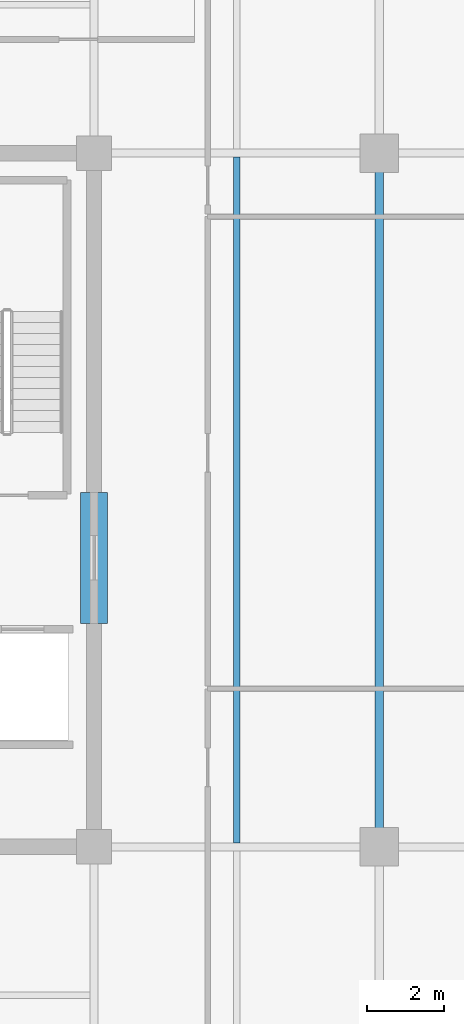
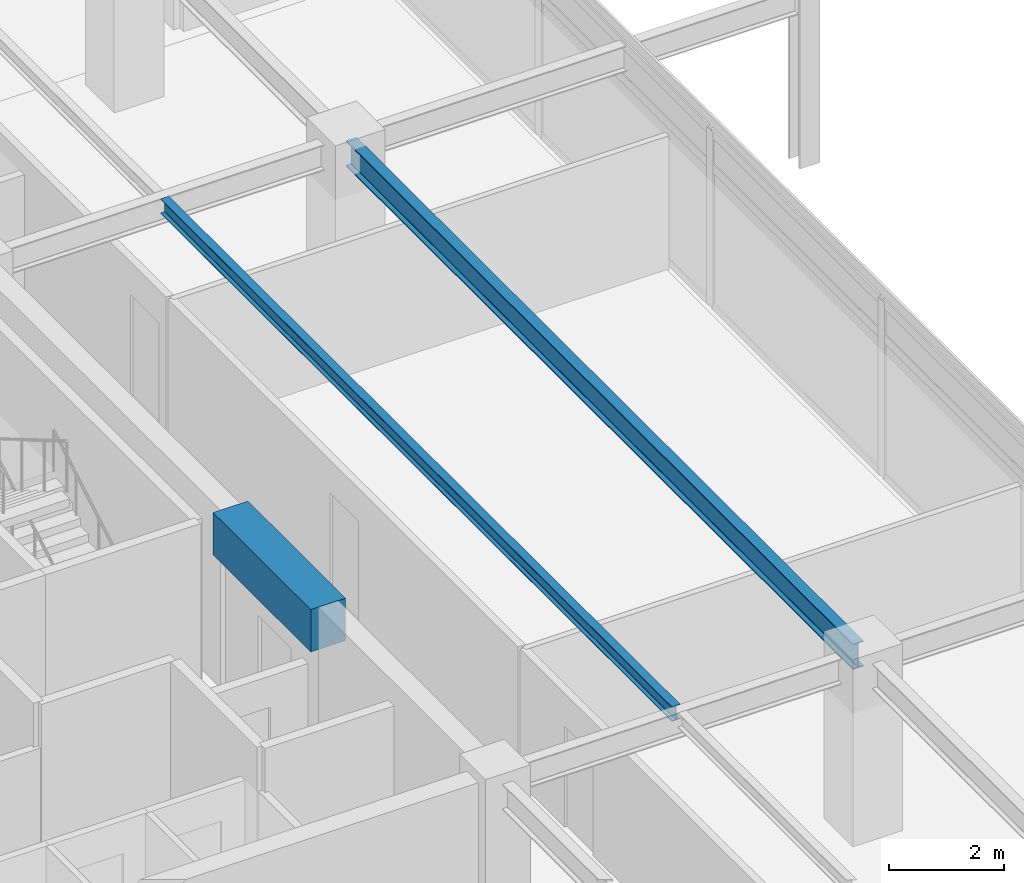
# One storey, part 3 of 20: 3 beams.
"""IFC4 building model written with IfcOpenShell, lengths in metres."""

from ifc_helpers import new_model, si_unit, direction, frame, origin, origin_2d, place, context, subcontext, project, spatial, rectangle, i_section, extrude, material, material_profile, profile_set, type_object, element, save


model = new_model("IFC4")

# Units and contexts
model_context = context("Model", 3, precision=1e-05, world=origin(), true_north=direction((0.0, 1.0)))
body_context = subcontext(model_context, "Body", "Model", "MODEL_VIEW")
ifc_project = project(units=[si_unit("LENGTHUNIT", "METRE"), si_unit("AREAUNIT", "SQUARE_METRE"), si_unit("VOLUMEUNIT", "CUBIC_METRE"), si_unit("PLANEANGLEUNIT", "RADIAN"), si_unit("MASSUNIT", "GRAM", prefix="KILO")], contexts=[model_context])

# Site, building, storey
site_placement = place(None, origin())
site = spatial("IfcSite", under=ifc_project, at=site_placement, CompositionType="ELEMENT")
building_placement = place(site_placement, origin())
building = spatial("IfcBuilding", under=site, at=building_placement, Name="Kovane Verandah Tower", CompositionType="ELEMENT")
storey_placement = place(building_placement, frame((0.0, 0.0, 306.800048828125)))
storey = spatial("IfcBuildingStorey", under=building, at=storey_placement, Name="L71", CompositionType="ELEMENT", Elevation=306.800048828125)

# Beams
ifc_material_1 = material(Name="Concrete C60/75", Category="concrete")
ifc_material_profile_1 = material_profile(ifc_material_1, rectangle(XDim=0.699951171875, YDim=0.89990234375, at=origin_2d()), Name="RCB700x900")
ifc_profile_set_1 = profile_set([ifc_material_profile_1], Name="Concrete C60/75")
beam_type_1 = type_object("IfcBeamType", Name="BM-LINTEL-700x900", PredefinedType="LINTEL", material=ifc_profile_set_1)
beam_1_placement = place(storey_placement, frame((51.0, 24.300048828125, 3.3349609375), z_axis=(0.0, 1.0, 0.0), x_axis=(-1.0, 0.0, 0.0)))
element("IfcBeam", 1, at=beam_1_placement, inside=storey, type_object=beam_type_1, Name="L71 Core Coupling Lintel CL-E", PredefinedType="LINTEL", context=body_context, shape_type="SweptSolid", body=[
    extrude(rectangle(XDim=0.699951171875, YDim=0.89990234375, at=origin_2d()), origin(), (0.0, 0.0, 1.0), 3.39990234375),
])
ifc_material_2 = material(Name="Steel S355", Category="steel")
ifc_material_profile_2 = material_profile(ifc_material_2, i_section(OverallWidth=0.2119140625, OverallDepth=0.54443359375, WebThickness=0.0126953125, FlangeThickness=0.021240234375, FilletRadius=0.0126953125, at=origin_2d()), Name="UB533x210x122")
ifc_profile_set_2 = profile_set([ifc_material_profile_2], Name="Steel S355")
beam_type_2 = type_object("IfcBeamType", Name="BM-UB533x122", PredefinedType="BEAM", material=ifc_profile_set_2)
beam_2_placement = place(storey_placement, frame((58.39990234375, 18.679931640625, 3.5126953125), z_axis=(0.0, 1.0, 0.0), x_axis=(-1.0, 0.0, 0.0)))
element("IfcBeam", 2, at=beam_2_placement, inside=storey, type_object=beam_type_2, Name="L71 Primary Tower Girder G-RE2", PredefinedType="BEAM", context=body_context, shape_type="SweptSolid", body=[
    extrude(i_section(OverallWidth=0.2119140625, OverallDepth=0.54443359375, WebThickness=0.0126953125, FlangeThickness=0.021240234375, FilletRadius=0.0126953125, at=origin_2d()), origin(), (0.0, 0.0, 1.0), 17.64013671875),
])
ifc_material_profile_3 = material_profile(ifc_material_2, i_section(OverallWidth=0.1669921875, OverallDepth=0.310302734375, WebThickness=0.0078125, FlangeThickness=0.013671875, FilletRadius=0.0087890625, at=origin_2d()), Name="UB305x165x54")
ifc_profile_set_3 = profile_set([ifc_material_profile_3], Name="Steel S355")
beam_type_3 = type_object("IfcBeamType", Name="JST-UB305x54", PredefinedType="JOIST", material=ifc_profile_set_3)
beam_3_placement = place(storey_placement, frame((54.699951171875, 18.60400390625, 3.629638671875), z_axis=(0.0, 1.0, 0.0), x_axis=(-1.0, 0.0, 0.0)))
element("IfcBeam", 3, at=beam_3_placement, inside=storey, type_object=beam_type_3, Name="L71 Secondary Composite Joist J-E1", PredefinedType="JOIST", context=body_context, shape_type="SweptSolid", body=[
    extrude(i_section(OverallWidth=0.1669921875, OverallDepth=0.310302734375, WebThickness=0.0078125, FlangeThickness=0.013671875, FilletRadius=0.0087890625, at=origin_2d()), origin(), (0.0, 0.0, 1.0), 17.7919921875),
])

save(model, "model.ifc")
